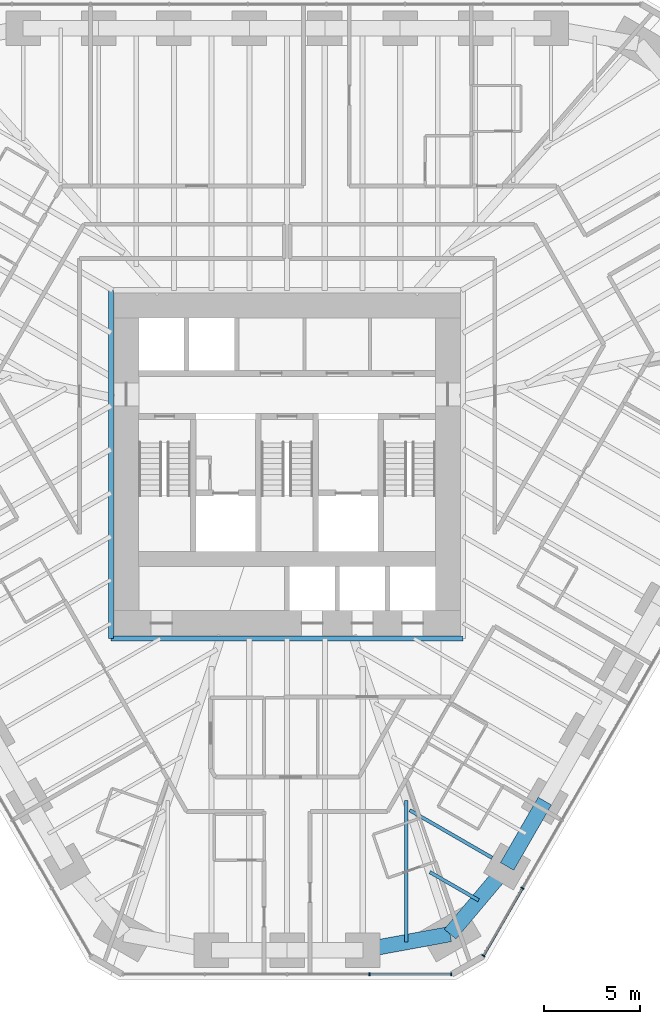
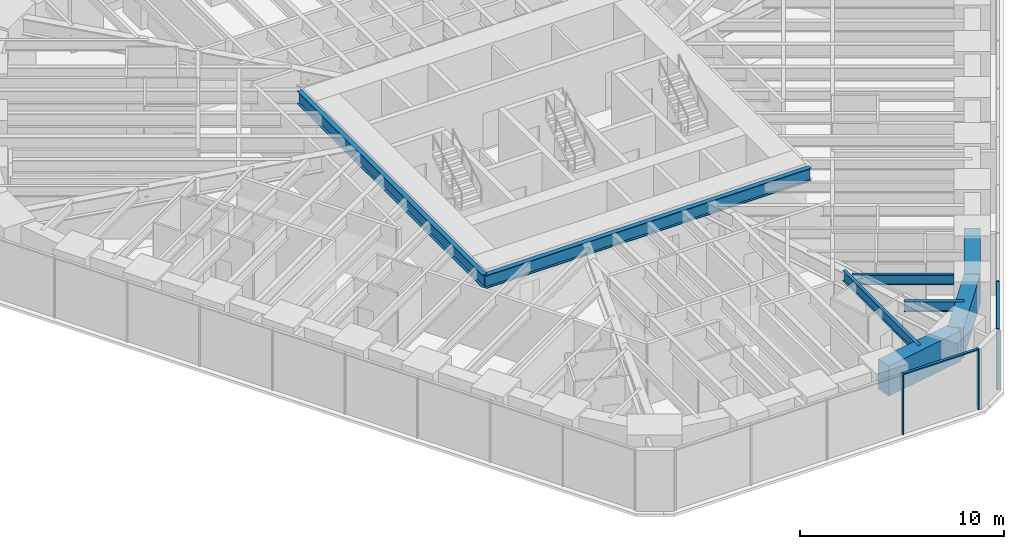
# One storey, part 4 of 16: 8 beams, 6 members, 2 elements without a shape of their own.
"""IFC4 building model written with IfcOpenShell, lengths in metres."""

from ifc_helpers import new_model, si_unit, direction, frame, origin, origin_2d, place, context, subcontext, project, spatial, rectangle, i_section, extrude, material, material_profile, profile_set, type_object, element, aggregate, save


model = new_model("IFC4")

# Units and contexts
model_context = context("Model", 3, precision=1e-05, world=origin(), true_north=direction((0.0, 1.0)))
body_context = subcontext(model_context, "Body", "Model", "MODEL_VIEW")
ifc_project = project(units=[si_unit("LENGTHUNIT", "METRE"), si_unit("AREAUNIT", "SQUARE_METRE"), si_unit("VOLUMEUNIT", "CUBIC_METRE"), si_unit("PLANEANGLEUNIT", "RADIAN"), si_unit("MASSUNIT", "GRAM", prefix="KILO")], contexts=[model_context])

# Site, building, storey
site_placement = place(None, origin())
site = spatial("IfcSite", under=ifc_project, at=site_placement, CompositionType="ELEMENT")
building_placement = place(site_placement, origin())
building = spatial("IfcBuilding", under=site, at=building_placement, Name="Sandreach Pilgrim Tower", CompositionType="ELEMENT")
storey_placement = place(building_placement, frame((0.0, 0.0, 131.0)))
storey = spatial("IfcBuildingStorey", under=building, at=storey_placement, Name="L32", CompositionType="ELEMENT", Elevation=131.0)

# Curtain wall, members
ifc_material_1 = material(Name="Aluminium framed curtain wall", Category="aluminium")
curtain_wall_type = type_object("IfcCurtainWallType", Name="Hotel tower curtain wall", PredefinedType="NOTDEFINED", material=ifc_material_1)
curtain_wall_1_placement = place(storey_placement, origin())
curtain_wall_1 = element("IfcCurtainWall", 1, at=curtain_wall_1_placement, inside=storey, type_object=curtain_wall_type, Name="CW-2 L32 SE", PredefinedType="NOTDEFINED")
ifc_material_2 = material(Name="Aluminium extrusion", Category="aluminium")
ifc_material_profile_1 = material_profile(ifc_material_2, rectangle(XDim=0.06494140625, YDim=0.179931640625, at=origin_2d()), Name="CW-2M 65X180")
ifc_profile_set_1 = profile_set([ifc_material_profile_1], Name="Aluminium extrusion")
member_type_1 = type_object("IfcMemberType", Name="CW-2 mullion", PredefinedType="MULLION", material=ifc_profile_set_1)
member_1_placement = place(storey_placement, frame((12.29296875, -23.695556640625, 0.0), z_axis=(0.0, 0.0, 1.0), x_axis=(-0.5, -0.866025403784, 0.0)))
member_1 = element("IfcMember", 2, at=member_1_placement, type_object=member_type_1, Name="CW-2 mullion 9", PredefinedType="MULLION", context=body_context, shape_type="SweptSolid", body=[
    extrude(rectangle(XDim=0.06494140625, YDim=0.179931640625, at=origin_2d()), origin(), (0.0, 0.0, 1.0), 3.639892578125),
])
member_2_placement = place(storey_placement, frame((10.255859375, -27.22412109375, 0.0), z_axis=(0.0, 0.0, 1.0), x_axis=(-0.5, -0.866025403784, 0.0)))
member_2 = element("IfcMember", 3, at=member_2_placement, type_object=member_type_1, Name="CW-2 mullion 10", PredefinedType="MULLION", context=body_context, shape_type="SweptSolid", body=[
    extrude(rectangle(XDim=0.06494140625, YDim=0.179931640625, at=origin_2d()), origin(), (0.0, 0.0, 1.0), 3.639892578125),
])

curtain_wall_2_placement = place(storey_placement, origin())
curtain_wall_2 = element("IfcCurtainWall", 4, at=curtain_wall_2_placement, inside=storey, type_object=curtain_wall_type, Name="CW-2 L32 S", PredefinedType="NOTDEFINED")
member_3_placement = place(storey_placement, frame((8.578857421875, -28.192138671875, 0.0), z_axis=(0.0, 0.0, 1.0), x_axis=(-1.0, 0.0, 0.0)))
member_3 = element("IfcMember", 5, at=member_3_placement, type_object=member_type_1, Name="CW-2 mullion 1", PredefinedType="MULLION", context=body_context, shape_type="SweptSolid", body=[
    extrude(rectangle(XDim=0.06494140625, YDim=0.179931640625, at=origin_2d()), origin(), (0.0, 0.0, 1.0), 3.639892578125),
])
member_4_placement = place(storey_placement, frame((4.3056640625, -28.192138671875, 0.0), z_axis=(0.0, 0.0, 1.0), x_axis=(-1.0, 0.0, 0.0)))
member_4 = element("IfcMember", 6, at=member_4_placement, type_object=member_type_1, Name="CW-2 mullion 2", PredefinedType="MULLION", context=body_context, shape_type="SweptSolid", body=[
    extrude(rectangle(XDim=0.06494140625, YDim=0.179931640625, at=origin_2d()), origin(), (0.0, 0.0, 1.0), 3.639892578125),
])

# Member
ifc_material_3 = material(Name="Aluminium extrusion", Category="aluminium")
ifc_material_profile_2 = material_profile(ifc_material_3, rectangle(XDim=0.139892578125, YDim=0.070068359375, at=origin_2d()), Name="CW-2T 140X70")
ifc_profile_set_2 = profile_set([ifc_material_profile_2], Name="Aluminium extrusion")
member_type_2 = type_object("IfcMemberType", Name="CW-2 transom", PredefinedType="USERDEFINED", material=ifc_profile_set_2)
member_5_placement = place(storey_placement, frame((12.27685546875, -23.7236328125, 3.60498046875), z_axis=(-0.500015851672, -0.866016251624, 0.0), x_axis=(0.866016251624, -0.500015851672, 0.0)))
member_5 = element("IfcMember", 7, at=member_5_placement, type_object=member_type_2, Name="CW-2 head transom 9", ObjectType="TRANSOM", PredefinedType="USERDEFINED", context=body_context, shape_type="SweptSolid", body=[
    extrude(rectangle(XDim=0.139892578125, YDim=0.070068359375, at=origin_2d()), origin(), (0.0, 0.0, 1.0), 4.009521484375),
])

aggregate(curtain_wall_1, [member_1, member_2, member_5])

member_6_placement = place(storey_placement, frame((8.54638671875, -28.192138671875, 3.60498046875), z_axis=(-1.0, 0.0, 0.0), x_axis=(0.0, -1.0, 0.0)))
member_6 = element("IfcMember", 8, at=member_6_placement, type_object=member_type_2, Name="CW-2 head transom 1", ObjectType="TRANSOM", PredefinedType="USERDEFINED", context=body_context, shape_type="SweptSolid", body=[
    extrude(rectangle(XDim=0.139892578125, YDim=0.070068359375, at=origin_2d()), origin(), (0.0, 0.0, 1.0), 4.208251953125),
])

aggregate(curtain_wall_2, [member_3, member_4, member_6])

# Beams
ifc_material_4 = material(Name="Steel ASTM A992 Grade 50", Category="steel")
ifc_material_profile_3 = material_profile(ifc_material_4, i_section(OverallWidth=0.2666015625, OverallDepth=0.77978515625, WebThickness=0.0166015625, FlangeThickness=0.030029296875, at=origin_2d()), Name="W30X148")
ifc_profile_set_3 = profile_set([ifc_material_profile_3], Name="Steel ASTM A992 Grade 50")
beam_type_1 = type_object("IfcBeamType", Name="Core edge beam W30X148", PredefinedType="BEAM", material=ifc_profile_set_3)
beam_1_placement = place(storey_placement, frame((9.193359375, -10.643310546875, 3.25), z_axis=(-1.0, 0.0, 0.0), x_axis=(0.0, -1.0, 0.0)))
element("IfcBeam", 9, at=beam_1_placement, inside=storey, type_object=beam_type_1, Name="BM L32 CES", PredefinedType="BEAM", context=body_context, shape_type="SweptSolid", body=[
    extrude(i_section(OverallWidth=0.2666015625, OverallDepth=0.77978515625, WebThickness=0.0166015625, FlangeThickness=0.030029296875, at=origin_2d()), origin(), (0.0, 0.0, 1.0), 18.38671875),
])
beam_2_placement = place(storey_placement, frame((-9.193359375, -10.643310546875, 3.25), z_axis=(0.0, 1.0, 0.0), x_axis=(-1.0, 0.0, 0.0)))
element("IfcBeam", 10, at=beam_2_placement, inside=storey, type_object=beam_type_1, Name="BM L32 CEW", PredefinedType="BEAM", context=body_context, shape_type="SweptSolid", body=[
    extrude(i_section(OverallWidth=0.2666015625, OverallDepth=0.77978515625, WebThickness=0.0166015625, FlangeThickness=0.030029296875, at=origin_2d()), origin(), (0.0, 0.0, 1.0), 18.186767578125),
])
ifc_material_5 = material(Name="Steel ASTM A992 Grade 50", Category="steel")
ifc_material_profile_4 = material_profile(ifc_material_5, i_section(OverallWidth=0.1787109375, OverallDepth=0.60205078125, WebThickness=0.010986328125, FlangeThickness=0.014892578125, at=origin_2d()), Name="W24X62")
ifc_profile_set_4 = profile_set([ifc_material_profile_4], Name="Steel ASTM A992 Grade 50")
beam_type_2 = type_object("IfcBeamType", Name="Floor beam W24X62", PredefinedType="BEAM", material=ifc_profile_set_4)
beam_3_placement = place(storey_placement, frame((10.714599609375, -22.109130859375, 3.339111328125), z_axis=(-0.866024645457, 0.500001313459, 0.0), x_axis=(-0.500001313459, -0.866024645457, 0.0)))
element("IfcBeam", 11, at=beam_3_placement, inside=storey, type_object=beam_type_2, Name="BM L32 F21", PredefinedType="BEAM", context=body_context, shape_type="SweptSolid", body=[
    extrude(i_section(OverallWidth=0.1787109375, OverallDepth=0.60205078125, WebThickness=0.010986328125, FlangeThickness=0.014892578125, at=origin_2d()), origin(), (0.0, 0.0, 1.0), 4.9765625),
])
beam_4_placement = place(storey_placement, frame((10.006103515625, -24.326904296875, 3.339111328125), z_axis=(-0.866015396618, 0.500017332519, 0.0), x_axis=(-0.500017332519, -0.866015396618, 0.0)))
element("IfcBeam", 12, at=beam_4_placement, inside=storey, type_object=beam_type_2, Name="BM L32 FM21", PredefinedType="BEAM", context=body_context, shape_type="SweptSolid", body=[
    extrude(i_section(OverallWidth=0.1787109375, OverallDepth=0.60205078125, WebThickness=0.010986328125, FlangeThickness=0.014892578125, at=origin_2d()), origin(), (0.0, 0.0, 1.0), 2.9384765625),
])
beam_5_placement = place(storey_placement, frame((6.236572265625, -26.51318359375, 3.339111328125), z_axis=(0.0, 1.0, 0.0), x_axis=(-1.0, 0.0, 0.0)))
element("IfcBeam", 13, at=beam_5_placement, inside=storey, type_object=beam_type_2, Name="BM L32 FM22", PredefinedType="BEAM", context=body_context, shape_type="SweptSolid", body=[
    extrude(i_section(OverallWidth=0.1787109375, OverallDepth=0.60205078125, WebThickness=0.010986328125, FlangeThickness=0.014892578125, at=origin_2d()), origin(), (0.0, 0.0, 1.0), 7.40771484375),
])
ifc_material_6 = material(Name="Concrete 10000 psi", Category="concrete")
ifc_material_profile_5 = material_profile(ifc_material_6, rectangle(XDim=0.800048828125, YDim=1.800048828125, at=origin_2d()), Name="RC800X1800")
ifc_profile_set_5 = profile_set([ifc_material_profile_5], Name="Concrete 10000 psi")
beam_type_3 = type_object("IfcBeamType", Name="Spandrel beam RC800X1800", PredefinedType="SPANDREL", material=ifc_profile_set_5)
beam_6_placement = place(storey_placement, frame((13.464111328125, -19.147216796875, 2.739990234375), z_axis=(-0.49999779889, -0.866026674592, 0.0), x_axis=(0.866026674592, -0.49999779889, 0.0)))
element("IfcBeam", 14, at=beam_6_placement, inside=storey, type_object=beam_type_3, Name="BM L32 SP20", PredefinedType="SPANDREL", context=body_context, shape_type="SweptSolid", body=[
    extrude(rectangle(XDim=0.800048828125, YDim=1.800048828125, at=origin_2d()), origin(), (0.0, 0.0, 1.0), 3.93994140625),
])
beam_7_placement = place(storey_placement, frame((11.494140625, -22.559326171875, 2.739990234375), z_axis=(-0.644078801547, -0.764959147535, 0.0), x_axis=(0.764959147535, -0.644078801547, 0.0)))
element("IfcBeam", 15, at=beam_7_placement, inside=storey, type_object=beam_type_3, Name="BM L32 SP21", PredefinedType="SPANDREL", context=body_context, shape_type="SweptSolid", body=[
    extrude(rectangle(XDim=0.800048828125, YDim=1.800048828125, at=origin_2d()), origin(), (0.0, 0.0, 1.0), 4.62109375),
])
beam_8_placement = place(storey_placement, frame((8.517822265625, -26.09423828125, 2.739990234375), z_axis=(-0.983551746136, -0.180626583516, 0.0), x_axis=(0.180626583516, -0.983551746136, 0.0)))
element("IfcBeam", 16, at=beam_8_placement, inside=storey, type_object=beam_type_3, Name="BM L32 SP22", PredefinedType="SPANDREL", context=body_context, shape_type="SweptSolid", body=[
    extrude(rectangle(XDim=0.800048828125, YDim=1.800048828125, at=origin_2d()), origin(), (0.0, 0.0, 1.0), 4.638916015625),
])

save(model, "model.ifc")
